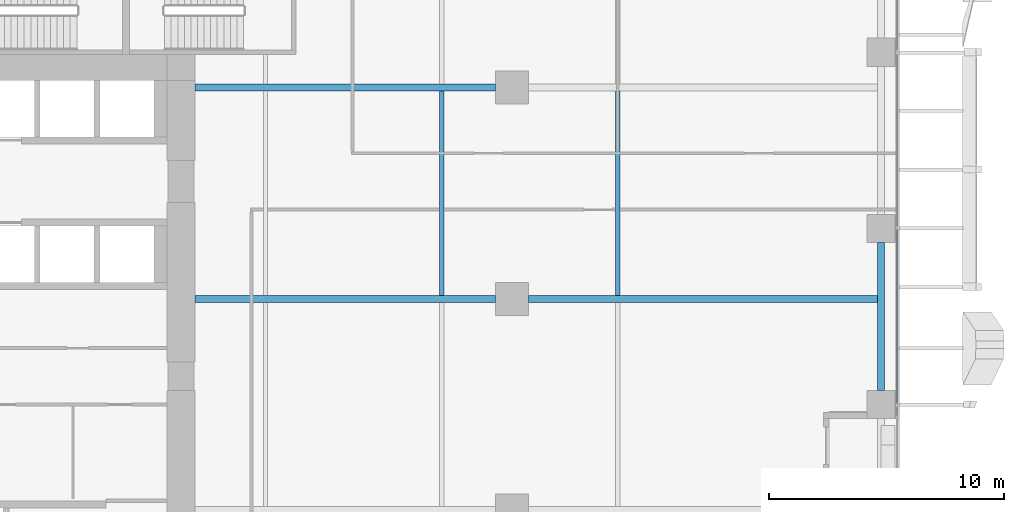
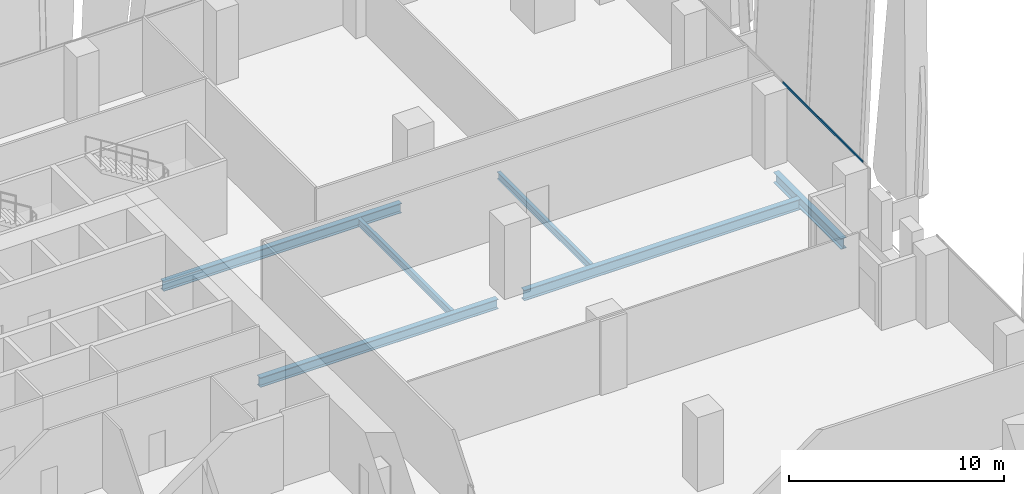
# One storey, part 15 of 34: 6 beams, 1 member, 1 element without a shape of its own.
"""IFC4 building model written with IfcOpenShell, lengths in metres."""

from ifc_helpers import new_model, si_unit, direction, frame, origin, origin_2d, place, context, subcontext, project, spatial, hollow_rectangle, i_section, extrude, source, transform, mapped, material, material_profile, profile_set, type_object, element, aggregate, save


model = new_model("IFC4")

# Units and contexts
model_context = context("Model", 3, precision=1e-05, world=origin(), true_north=direction((0.0, 1.0)))
body_context = subcontext(model_context, "Body", "Model", "MODEL_VIEW")
ifc_project = project(units=[si_unit("LENGTHUNIT", "METRE"), si_unit("AREAUNIT", "SQUARE_METRE"), si_unit("VOLUMEUNIT", "CUBIC_METRE"), si_unit("PLANEANGLEUNIT", "RADIAN"), si_unit("MASSUNIT", "GRAM", prefix="KILO")], contexts=[model_context])

# Site, building, storey
site_placement = place(None, origin())
site = spatial("IfcSite", under=ifc_project, at=site_placement, CompositionType="ELEMENT")
building_placement = place(site_placement, origin())
building = spatial("IfcBuilding", under=site, at=building_placement, Name="Khomas Fold Tower", CompositionType="ELEMENT")
storey_placement = place(building_placement, frame((0.0, 0.0, 73.5)))
storey = spatial("IfcBuildingStorey", under=building, at=storey_placement, Name="L15", CompositionType="ELEMENT", Elevation=73.5)

# Beams
ifc_material_1 = material(Name="Steel S355", Category="steel")
ifc_material_profile_1 = material_profile(ifc_material_1, i_section(OverallWidth=0.300048828125, OverallDepth=0.550048828125, WebThickness=0.014892578125, FlangeThickness=0.029052734375, at=origin_2d()), Name="HE 550 B")
ifc_profile_set_1 = profile_set([ifc_material_profile_1], Name="Steel S355")
beam_type_1 = type_object("IfcBeamType", Name="HE 550 B beam GB4", PredefinedType="BEAM", material=ifc_profile_set_1)
shared_shape_1 = source(origin(), body_context, "Body", "SweptSolid", [
    extrude(i_section(OverallWidth=0.300048828125, OverallDepth=0.550048828125, WebThickness=0.014892578125, FlangeThickness=0.029052734375, at=origin_2d()), origin(), (0.0, 0.0, 1.0), 12.800048828125),
])
for number, where, z_axis, x_axis, name in (
    (1, (24.0, 31.5, -0.574951171875), (1.0, 0.0, 0.0), (0.0, 1.0, 0.0), "GB4"),
    (2, (24.0, 40.5, -0.574951171875), (1.0, 0.0, 0.0), (0.0, 1.0, 0.0), "GB4"),
):
    element("IfcBeam", number, at=place(storey_placement, frame(where, z_axis=z_axis, x_axis=x_axis)), inside=storey, type_object=beam_type_1, Name=name, PredefinedType="BEAM", context=body_context, shape_type="MappedRepresentation", body=[
        mapped(shared_shape_1, transform((0.0, 0.0, 0.0))),
    ])
ifc_material_2 = material(Name="Steel S355", Category="steel")
ifc_material_profile_2 = material_profile(ifc_material_2, i_section(OverallWidth=0.179931640625, OverallDepth=0.39990234375, WebThickness=0.008544921875, FlangeThickness=0.013427734375, at=origin_2d()), Name="IPE 400")
ifc_profile_set_2 = profile_set([ifc_material_profile_2], Name="Steel S355")
beam_type_2 = type_object("IfcBeamType", Name="IPE 400 beam JB3", PredefinedType="BEAM", material=ifc_profile_set_2)
shared_shape_2 = source(origin(), body_context, "Body", "SweptSolid", [
    extrude(i_section(OverallWidth=0.179931640625, OverallDepth=0.39990234375, WebThickness=0.008544921875, FlangeThickness=0.013427734375, at=origin_2d()), origin(), (0.0, 0.0, 1.0), 8.7001953125),
])
for number, where, z_axis, x_axis, name in (
    (3, (34.5, 31.64990234375, -0.5), (0.0, 1.0, 0.0), (-1.0, 0.0, 0.0), "JB3"),
    (4, (42.0, 31.64990234375, -0.5), (0.0, 1.0, 0.0), (-1.0, 0.0, 0.0), "JB3"),
):
    element("IfcBeam", number, at=place(storey_placement, frame(where, z_axis=z_axis, x_axis=x_axis)), inside=storey, type_object=beam_type_2, Name=name, PredefinedType="BEAM", context=body_context, shape_type="MappedRepresentation", body=[
        mapped(shared_shape_2, transform((0.0, 0.0, 0.0))),
    ])
ifc_material_3 = material(Name="Steel S355", Category="steel")
ifc_material_profile_3 = material_profile(ifc_material_3, i_section(OverallWidth=0.300048828125, OverallDepth=0.60009765625, WebThickness=0.015380859375, FlangeThickness=0.030029296875, at=origin_2d()), Name="HE 600 B")
ifc_profile_set_3 = profile_set([ifc_material_profile_3], Name="Steel S355")
beam_type_3 = type_object("IfcBeamType", Name="HE 600 B spandrel SB1", PredefinedType="SPANDREL", material=ifc_profile_set_3)
shared_shape_3 = source(origin(), body_context, "Body", "SweptSolid", [
    extrude(i_section(OverallWidth=0.300048828125, OverallDepth=0.60009765625, WebThickness=0.015380859375, FlangeThickness=0.030029296875, at=origin_2d()), origin(), (0.0, 0.0, 1.0), 6.2998046875),
])
beam_1_placement = place(storey_placement, frame((53.199951171875, 27.60009765625, -0.60009765625), z_axis=(0.0, 1.0, 0.0), x_axis=(-1.0, 0.0, 0.0)))
element("IfcBeam", 5, at=beam_1_placement, inside=storey, type_object=beam_type_3, Name="SB1", PredefinedType="SPANDREL", context=body_context, shape_type="MappedRepresentation", body=[
    mapped(shared_shape_3, transform((0.0, 0.0, 0.0))),
])
ifc_material_4 = material(Name="Steel S355", Category="steel")
ifc_material_profile_4 = material_profile(ifc_material_4, i_section(OverallWidth=0.300048828125, OverallDepth=0.60009765625, WebThickness=0.015380859375, FlangeThickness=0.030029296875, at=origin_2d()), Name="HE 600 B")
ifc_profile_set_4 = profile_set([ifc_material_profile_4], Name="Steel S355")
beam_type_4 = type_object("IfcBeamType", Name="HE 600 B beam GB5", PredefinedType="BEAM", material=ifc_profile_set_4)
shared_shape_4 = source(origin(), body_context, "Body", "SweptSolid", [
    extrude(i_section(OverallWidth=0.300048828125, OverallDepth=0.60009765625, WebThickness=0.015380859375, FlangeThickness=0.030029296875, at=origin_2d()), origin(), (0.0, 0.0, 1.0), 14.85009765625),
])
beam_2_placement = place(storey_placement, frame((38.199951171875, 31.5, -0.60009765625), z_axis=(1.0, 0.0, 0.0), x_axis=(0.0, 1.0, 0.0)))
element("IfcBeam", 6, at=beam_2_placement, inside=storey, type_object=beam_type_4, Name="GB5", PredefinedType="BEAM", context=body_context, shape_type="MappedRepresentation", body=[
    mapped(shared_shape_4, transform((0.0, 0.0, 0.0))),
])

# Curtain wall, member
ifc_material_5 = material(Name="Aluminium framed double glazing", Category="aluminium")
curtain_wall_type = type_object("IfcCurtainWallType", Name="SK-Unitised clear-glass wall, growing floors CW1", PredefinedType="NOTDEFINED", material=ifc_material_5)
curtain_wall_placement = place(storey_placement, origin())
curtain_wall = element("IfcCurtainWall", 7, at=curtain_wall_placement, inside=storey, type_object=curtain_wall_type, Name="CW1 run L15 03-1", PredefinedType="NOTDEFINED")
ifc_material_6 = material(Name="Aluminium", Category="aluminium")
ifc_material_profile_5 = material_profile(ifc_material_6, hollow_rectangle(XDim=0.06005859375, YDim=0.1201171875, WallThickness=0.00390625, at=origin_2d()), Name="SK-Unitised clear-glass wall, growing floors transom CW1-T")
ifc_profile_set_5 = profile_set([ifc_material_profile_5], Name="Aluminium")
member_type = type_object("IfcMemberType", Name="SK-Unitised clear-glass wall, growing floors transom CW1-T", PredefinedType="USERDEFINED", material=ifc_profile_set_5)
shared_shape_5 = source(origin(), body_context, "Body", "SweptSolid", [
    extrude(hollow_rectangle(XDim=0.06005859375, YDim=0.1201171875, WallThickness=0.00390625, at=origin_2d()), origin(), (0.0, 0.0, 1.0), 7.43994140625),
])
member_placement = place(storey_placement, frame((53.89990234375, 27.030029296875, 4.139892578125), z_axis=(0.0, 1.0, 0.0), x_axis=(-1.0, 0.0, 0.0)))
member = element("IfcMember", 8, at=member_placement, type_object=member_type, Name="CW1 transom 2", ObjectType="TRANSOM", PredefinedType="USERDEFINED", context=body_context, shape_type="MappedRepresentation", body=[
    mapped(shared_shape_5, transform((0.0, 0.0, 0.0))),
])
aggregate(curtain_wall, [member])

save(model, "model.ifc")
